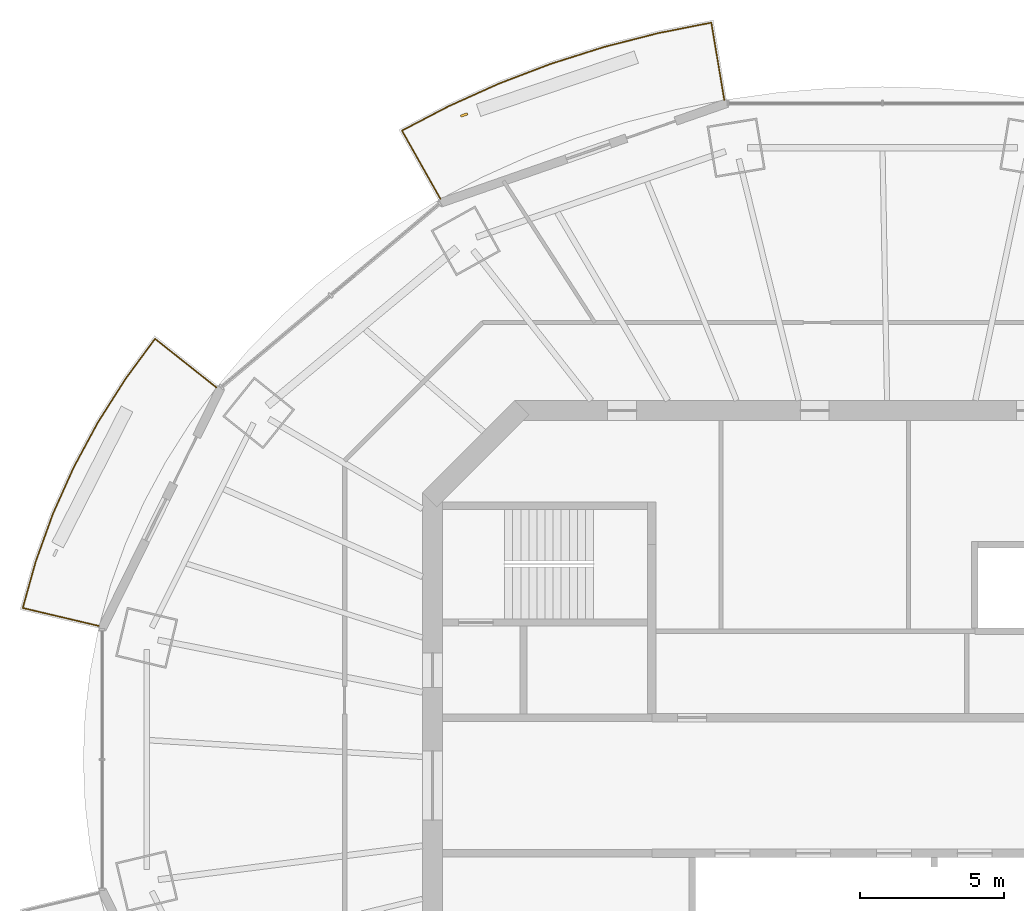
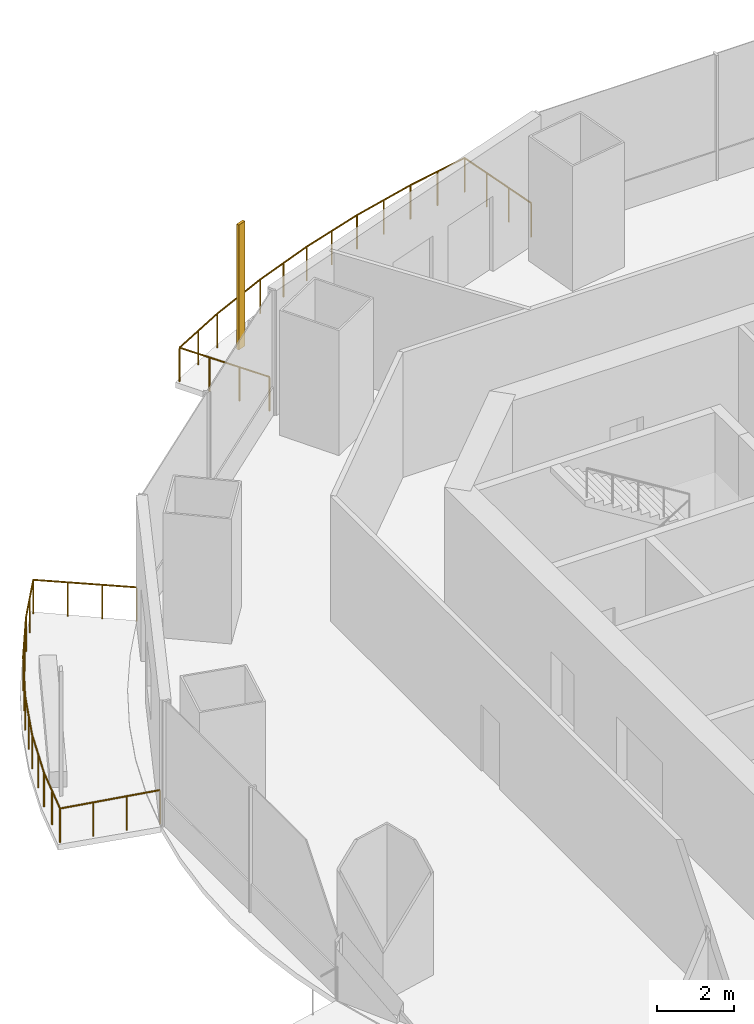
# One storey, part 14 of 16: 2 railings, 1 shading device.
"""IFC4 building model written with IfcOpenShell, lengths in metres."""

from ifc_helpers import new_model, si_unit, direction, frame, origin, origin_2d, place, context, subcontext, project, spatial, rectangle, circle, extrude, material, material_profile, profile_set, type_object, element, save


model = new_model("IFC4")

# Units and contexts
model_context = context("Model", 3, precision=1e-05, world=origin(), true_north=direction((0.0, 1.0)))
body_context = subcontext(model_context, "Body", "Model", "MODEL_VIEW")
ifc_project = project(units=[si_unit("LENGTHUNIT", "METRE"), si_unit("AREAUNIT", "SQUARE_METRE"), si_unit("VOLUMEUNIT", "CUBIC_METRE"), si_unit("PLANEANGLEUNIT", "RADIAN"), si_unit("MASSUNIT", "GRAM", prefix="KILO")], contexts=[model_context])

# Site, building, storey
site_placement = place(None, origin())
site = spatial("IfcSite", under=ifc_project, at=site_placement, CompositionType="ELEMENT")
building_placement = place(site_placement, origin())
building = spatial("IfcBuilding", under=site, at=building_placement, Name="Marenthal Gate Tower", CompositionType="ELEMENT")
storey_placement = place(building_placement, frame((0.0, 0.0, 330.14990234375)))
storey = spatial("IfcBuildingStorey", under=building, at=storey_placement, Name="L74", CompositionType="ELEMENT", Elevation=330.14990234375)

# Railings
ifc_material_1 = material(Name="Stainless steel", Category="steel")
railing_type = type_object("IfcRailingType", Name="Balcony guard 1100", PredefinedType="GUARDRAIL", material=ifc_material_1)
railing_1_placement = place(storey_placement, frame((-15.726318359375, 20.3349609375, 0.0)))
element("IfcRailing", 1, at=railing_1_placement, inside=storey, type_object=railing_type, Name="Balcony guard L74 bay 5", PredefinedType="GUARDRAIL", context=body_context, shape_type="SweptSolid", body=[
    extrude(circle(Radius=0.02392578125, at=origin_2d()), frame((0.0, 0.0, 1.076171875), z_axis=(-0.490566665054, 0.871280860656, -0.014629046177), x_axis=(-0.871374106592, -0.49061916632, 0.0)), (0.0, 0.0, 1.0), 2.72021484375),
    extrude(circle(Radius=0.02392578125, at=origin_2d()), frame((-1.33447265625, 2.3701171875, 1.0361328125), z_axis=(0.886546608419, 0.462639288324, 0.0), x_axis=(-0.462639288324, 0.886546608419, 0.0)), (0.0, 0.0, 1.0), 1.82177734375),
    extrude(circle(Radius=0.02392578125, at=origin_2d()), frame((0.280517578125, 3.212890625, 1.0361328125), z_axis=(0.911923891931, 0.410359373387, 0.0), x_axis=(-0.410359373387, 0.911923891931, 0.0)), (0.0, 0.0, 1.0), 1.913818359375),
    extrude(circle(Radius=0.02392578125, at=origin_2d()), frame((2.02587890625, 3.998291015625, 1.0361328125), z_axis=(0.93438727594, 0.356258920677, 0.0), x_axis=(-0.356258920677, 0.93438727594, 0.0)), (0.0, 0.0, 1.0), 1.92578125),
    extrude(circle(Radius=0.02392578125, at=origin_2d()), frame((3.8251953125, 4.684326171875, 1.0361328125), z_axis=(0.953258105079, 0.302157219178, 0.0), x_axis=(-0.302157219178, 0.953258105079, 0.0)), (0.0, 0.0, 1.0), 1.93603515625),
    extrude(circle(Radius=0.02392578125, at=origin_2d()), frame((5.670654296875, 5.269287109375, 1.0361328125), z_axis=(0.968904264382, 0.247435903744, 0.0), x_axis=(-0.247435903744, 0.968904264382, 0.0)), (0.0, 0.0, 1.0), 1.94482421875),
    extrude(circle(Radius=0.02392578125, at=origin_2d()), frame((7.554931640625, 5.75048828125, 1.0361328125), z_axis=(0.981044354343, 0.193783319228, 0.0), x_axis=(-0.193783319228, 0.981044354343, 0.0)), (0.0, 0.0, 1.0), 1.8720703125),
    extrude(circle(Radius=0.02392578125, at=origin_2d()), frame((9.3916015625, 6.11328125, 1.0361328125), z_axis=(0.165225448315, -0.986147325412, 0.014628869134), x_axis=(0.986252861995, 0.165243130591, 0.0)), (0.0, 0.0, 1.0), 2.72021484375),
    extrude(circle(Radius=0.02099609375, at=origin_2d()), origin(), (0.0, 0.0, 1.0), 1.052001953125),
    extrude(circle(Radius=0.02099609375, at=origin_2d()), frame((-0.44482421875, 0.7900390625, -0.01318359375)), (0.0, 0.0, 1.0), 1.052001953125),
    extrude(circle(Radius=0.02099609375, at=origin_2d()), frame((-0.8896484375, 1.580078125, -0.026611328125)), (0.0, 0.0, 1.0), 1.052001953125),
    extrude(circle(Radius=0.02099609375, at=origin_2d()), frame((-1.33447265625, 2.3701171875, -0.039794921875)), (0.0, 0.0, 1.0), 1.052001953125),
    extrude(circle(Radius=0.02099609375, at=origin_2d()), frame((-0.52685546875, 2.79150390625, -0.039794921875)), (0.0, 0.0, 1.0), 1.052001953125),
    extrude(circle(Radius=0.02099609375, at=origin_2d()), frame((0.280517578125, 3.212890625, -0.039794921875)), (0.0, 0.0, 1.0), 1.052001953125),
    extrude(circle(Radius=0.02099609375, at=origin_2d()), frame((1.1533203125, 3.60546875, -0.039794921875)), (0.0, 0.0, 1.0), 1.052001953125),
    extrude(circle(Radius=0.02099609375, at=origin_2d()), frame((2.02587890625, 3.998291015625, -0.039794921875)), (0.0, 0.0, 1.0), 1.052001953125),
    extrude(circle(Radius=0.02099609375, at=origin_2d()), frame((2.925537109375, 4.34130859375, -0.039794921875)), (0.0, 0.0, 1.0), 1.052001953125),
    extrude(circle(Radius=0.02099609375, at=origin_2d()), frame((3.8251953125, 4.684326171875, -0.039794921875)), (0.0, 0.0, 1.0), 1.052001953125),
    extrude(circle(Radius=0.02099609375, at=origin_2d()), frame((4.748046875, 4.976806640625, -0.039794921875)), (0.0, 0.0, 1.0), 1.052001953125),
    extrude(circle(Radius=0.02099609375, at=origin_2d()), frame((5.670654296875, 5.269287109375, -0.039794921875)), (0.0, 0.0, 1.0), 1.052001953125),
    extrude(circle(Radius=0.02099609375, at=origin_2d()), frame((6.61279296875, 5.509765625, -0.039794921875)), (0.0, 0.0, 1.0), 1.052001953125),
    extrude(circle(Radius=0.02099609375, at=origin_2d()), frame((7.554931640625, 5.75048828125, -0.039794921875)), (0.0, 0.0, 1.0), 1.052001953125),
    extrude(circle(Radius=0.02099609375, at=origin_2d()), frame((8.47314453125, 5.931884765625, -0.039794921875)), (0.0, 0.0, 1.0), 1.052001953125),
    extrude(circle(Radius=0.02099609375, at=origin_2d()), frame((9.3916015625, 6.11328125, -0.039794921875)), (0.0, 0.0, 1.0), 1.052001953125),
    extrude(circle(Radius=0.02099609375, at=origin_2d()), frame((9.54150390625, 5.218994140625, -0.026611328125)), (0.0, 0.0, 1.0), 1.052001953125),
    extrude(circle(Radius=0.02099609375, at=origin_2d()), frame((9.691162109375, 4.324951171875, -0.01318359375)), (0.0, 0.0, 1.0), 1.052001953125),
    extrude(circle(Radius=0.02099609375, at=origin_2d()), frame((9.841064453125, 3.4306640625, 0.0)), (0.0, 0.0, 1.0), 1.052001953125),
])
railing_2_placement = place(storey_placement, frame((-27.56103515625, 5.52880859375, 0.0)))
element("IfcRailing", 2, at=railing_2_placement, inside=storey, type_object=railing_type, Name="Balcony guard L74 bay 7", PredefinedType="GUARDRAIL", context=body_context, shape_type="SweptSolid", body=[
    extrude(circle(Radius=0.02392578125, at=origin_2d()), frame((0.0, 0.0, 1.076171875), z_axis=(-0.973158586038, 0.229670093302, -0.014629240019), x_axis=(-0.229694673631, -0.973262737859, 0.0)), (0.0, 0.0, 1.0), 2.72021484375),
    extrude(circle(Radius=0.02392578125, at=origin_2d()), frame((-2.647216796875, 0.624755859375, 1.0361328125), z_axis=(0.268631744924, 0.96324295254, 0.0), x_axis=(-0.96324295254, 0.268631744924, 0.0)), (0.0, 0.0, 1.0), 1.66943359375),
    extrude(circle(Radius=0.02392578125, at=origin_2d()), frame((-2.19873046875, 2.23291015625, 1.0361328125), z_axis=(0.338940900894, 0.940807666689, 0.0), x_axis=(-0.940807666689, 0.338940900894, 0.0)), (0.0, 0.0, 1.0), 1.7568359375),
    extrude(circle(Radius=0.02392578125, at=origin_2d()), frame((-1.603271484375, 3.8857421875, 1.0361328125), z_axis=(0.408087166089, 0.912942969124, 0.0), x_axis=(-0.912942969124, 0.408087166089, 0.0)), (0.0, 0.0, 1.0), 1.76611328125),
    extrude(circle(Radius=0.02392578125, at=origin_2d()), frame((-0.882568359375, 5.498046875, 1.0361328125), z_axis=(0.474001474553, 0.880524049712, 0.0), x_axis=(-0.880524049712, 0.474001474553, 0.0)), (0.0, 0.0, 1.0), 1.7763671875),
    extrude(circle(Radius=0.02392578125, at=origin_2d()), frame((-0.04052734375, 7.062255859375, 1.0361328125), z_axis=(0.535974159658, 0.844234386991, 0.0), x_axis=(-0.844234386991, 0.535974159658, 0.0)), (0.0, 0.0, 1.0), 1.788330078125),
    extrude(circle(Radius=0.02392578125, at=origin_2d()), frame((0.91796875, 8.572021484375, 1.0361328125), z_axis=(0.592758652735, 0.805380146023, 0.0), x_axis=(-0.805380146023, 0.592758652735, 0.0)), (0.0, 0.0, 1.0), 1.72119140625),
    extrude(circle(Radius=0.02392578125, at=origin_2d()), frame((1.938232421875, 9.958251953125, 1.0361328125), z_axis=(0.783492182246, -0.621229425602, 0.014628777286), x_axis=(0.621295908171, 0.783576029808, 0.0)), (0.0, 0.0, 1.0), 2.72021484375),
    extrude(circle(Radius=0.02099609375, at=origin_2d()), origin(), (0.0, 0.0, 1.0), 1.052001953125),
    extrude(circle(Radius=0.02099609375, at=origin_2d()), frame((-0.88232421875, 0.208251953125, -0.01318359375)), (0.0, 0.0, 1.0), 1.052001953125),
    extrude(circle(Radius=0.02099609375, at=origin_2d()), frame((-1.764892578125, 0.41650390625, -0.026611328125)), (0.0, 0.0, 1.0), 1.052001953125),
    extrude(circle(Radius=0.02099609375, at=origin_2d()), frame((-2.647216796875, 0.624755859375, -0.039794921875)), (0.0, 0.0, 1.0), 1.052001953125),
    extrude(circle(Radius=0.02099609375, at=origin_2d()), frame((-2.4228515625, 1.4287109375, -0.039794921875)), (0.0, 0.0, 1.0), 1.052001953125),
    extrude(circle(Radius=0.02099609375, at=origin_2d()), frame((-2.19873046875, 2.23291015625, -0.039794921875)), (0.0, 0.0, 1.0), 1.052001953125),
    extrude(circle(Radius=0.02099609375, at=origin_2d()), frame((-1.90087890625, 3.059326171875, -0.039794921875)), (0.0, 0.0, 1.0), 1.052001953125),
    extrude(circle(Radius=0.02099609375, at=origin_2d()), frame((-1.603271484375, 3.8857421875, -0.039794921875)), (0.0, 0.0, 1.0), 1.052001953125),
    extrude(circle(Radius=0.02099609375, at=origin_2d()), frame((-1.242919921875, 4.69189453125, -0.039794921875)), (0.0, 0.0, 1.0), 1.052001953125),
    extrude(circle(Radius=0.02099609375, at=origin_2d()), frame((-0.882568359375, 5.498046875, -0.039794921875)), (0.0, 0.0, 1.0), 1.052001953125),
    extrude(circle(Radius=0.02099609375, at=origin_2d()), frame((-0.46142578125, 6.2802734375, -0.039794921875)), (0.0, 0.0, 1.0), 1.052001953125),
    extrude(circle(Radius=0.02099609375, at=origin_2d()), frame((-0.04052734375, 7.062255859375, -0.039794921875)), (0.0, 0.0, 1.0), 1.052001953125),
    extrude(circle(Radius=0.02099609375, at=origin_2d()), frame((0.438720703125, 7.817138671875, -0.039794921875)), (0.0, 0.0, 1.0), 1.052001953125),
    extrude(circle(Radius=0.02099609375, at=origin_2d()), frame((0.91796875, 8.572021484375, -0.039794921875)), (0.0, 0.0, 1.0), 1.052001953125),
    extrude(circle(Radius=0.02099609375, at=origin_2d()), frame((1.42822265625, 9.26513671875, -0.039794921875)), (0.0, 0.0, 1.0), 1.052001953125),
    extrude(circle(Radius=0.02099609375, at=origin_2d()), frame((1.938232421875, 9.958251953125, -0.039794921875)), (0.0, 0.0, 1.0), 1.052001953125),
    extrude(circle(Radius=0.02099609375, at=origin_2d()), frame((2.648681640625, 9.39501953125, -0.026611328125)), (0.0, 0.0, 1.0), 1.052001953125),
    extrude(circle(Radius=0.02099609375, at=origin_2d()), frame((3.359130859375, 8.83154296875, -0.01318359375)), (0.0, 0.0, 1.0), 1.052001953125),
    extrude(circle(Radius=0.02099609375, at=origin_2d()), frame((4.069580078125, 8.268310546875, 0.0)), (0.0, 0.0, 1.0), 1.052001953125),
])

# Shading device
ifc_material_2 = material(Name="Terracotta", Category="masonry")
ifc_material_profile = material_profile(ifc_material_2, rectangle(XDim=0.25, YDim=0.080078125, at=origin_2d()), Name="Terracotta baguette 250x80")
ifc_profile_set = profile_set([ifc_material_profile], Name="Terracotta")
shading_device_type = type_object("IfcShadingDeviceType", Name="Terracotta BAGUETTE SCREEN 250x80", PredefinedType="USERDEFINED", material=ifc_profile_set)
shading_device_placement = place(storey_placement, frame((-14.90771484375, 23.24609375, -0.039794921875), z_axis=(0.0, 0.0, 1.0), x_axis=(-0.944213856974, -0.329332950521, 0.0)))
element("IfcShadingDevice", 3, at=shading_device_placement, inside=storey, type_object=shading_device_type, Name="Terracotta BAGUETTE L74 bay 5R", ObjectType="BAGUETTE SCREEN", PredefinedType="USERDEFINED", context=body_context, shape_type="SweptSolid", body=[
    extrude(rectangle(XDim=0.25, YDim=0.080078125, at=origin_2d()), origin(), (0.0, 0.0, 1.0), 3.969970703125),
])

save(model, "model.ifc")
